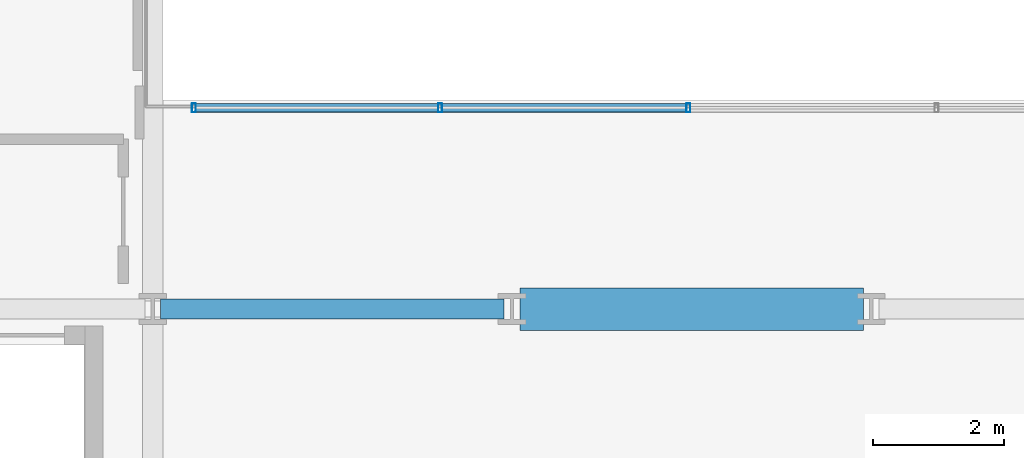
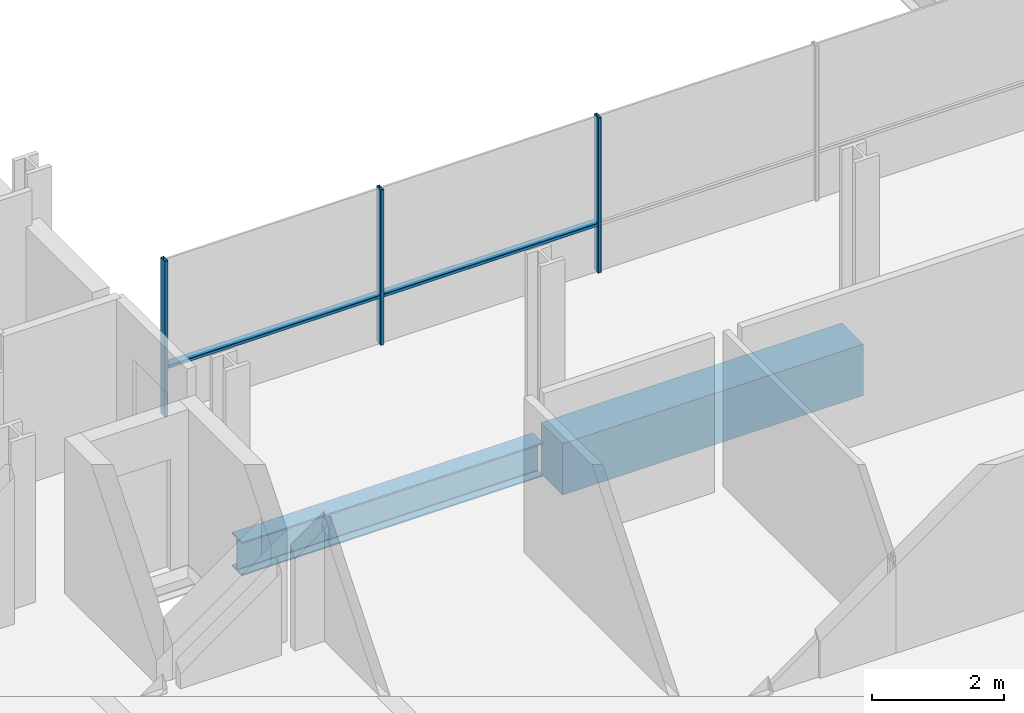
# One storey, part 4 of 38: 5 members, 2 beams, 1 element without a shape of its own.
"""IFC4 building model written with IfcOpenShell, lengths in metres."""

import ifcopenshell
import ifcopenshell.guid

model = None  # the IFC model being written
_history = None  # IfcOwnerHistory: only IFC2X3 demands one
_inside = {}  # id of a spatial element -> (the spatial element, [elements in it])
_under = {}  # id of a project, library or spatial element -> (it, [spatial elements below it])
_declared = {}  # id of a project -> (the project, [libraries it declares])
_typed = {}  # id of a type object -> (the type object, [elements of that type])
_made_of = {}  # id of a material, layer set ... -> (it, [elements and type objects made of it])


def new_model(schema):
    """Start an empty IFC model of exactly this schema.

    Asked for "IFC4X3", IfcOpenShell would pick the latest addendum, in which some entities
    have other attributes; the version numbers below select the first issue.
    IFC2X3 requires an IfcOwnerHistory on every rooted entity: one is made here for all.
    """
    global model, _history
    if schema == "IFC4X3":
        model = ifcopenshell.file(schema_version=(4, 3, 0, 0))
    else:
        model = ifcopenshell.file(schema=schema)
    _inside.clear()
    _under.clear()
    _declared.clear()
    _typed.clear()
    _made_of.clear()
    _history = None
    if model.schema == "IFC2X3":
        org = make("IfcOrganization", Name="unknown")
        user = make(
            "IfcPersonAndOrganization",
            ThePerson=make("IfcPerson", FamilyName="unknown"),
            TheOrganization=org,
        )
        app = make(
            "IfcApplication",
            ApplicationDeveloper=org,
            Version="unknown",
            ApplicationFullName="unknown",
            ApplicationIdentifier="unknown",
        )
        _history = make(
            "IfcOwnerHistory",
            OwningUser=user,
            OwningApplication=app,
            ChangeAction="ADDED",
            CreationDate=0,
        )
    return model


def make(cls, **values):
    """One entity of the class cls with the attributes given. An attribute that is None is left unset."""
    return model.create_entity(
        cls, **{name: value for name, value in values.items() if value is not None}
    )


def rooted(cls, **values):
    """An entity with a GlobalId (a new one), such as an element, a storey or a relation."""
    return make(cls, GlobalId=ifcopenshell.guid.new(), OwnerHistory=_history, **values)


def si_unit(unit_type, name, prefix=None):
    """IfcSIUnit, for example si_unit("LENGTHUNIT", "METRE", prefix="MILLI")."""
    return make("IfcSIUnit", UnitType=unit_type, Prefix=prefix, Name=name)


def assignment(units):
    """IfcUnitAssignment: the units of a project."""
    return None if units is None else make("IfcUnitAssignment", Units=units)


def point(xyz):
    """IfcCartesianPoint."""
    return None if xyz is None else make("IfcCartesianPoint", Coordinates=xyz)


def direction(xyz):
    """IfcDirection."""
    return None if xyz is None else make("IfcDirection", DirectionRatios=xyz)


def frame(location, z_axis=None, x_axis=None):
    """IfcAxis2Placement3D, a coordinate frame: its origin and axes. An axis left out is left unset."""
    return make(
        "IfcAxis2Placement3D",
        Location=point(location),
        Axis=direction(z_axis),
        RefDirection=direction(x_axis),
    )


def frame_2d(location, x_axis=None):
    """IfcAxis2Placement2D, a coordinate frame in the plane: its origin and x axis."""
    return make(
        "IfcAxis2Placement2D", Location=point(location), RefDirection=direction(x_axis)
    )


def origin():
    """The frame at (0, 0, 0) with its axes left unset."""
    return frame((0.0, 0.0, 0.0))


def origin_2d():
    """The frame at (0, 0) in the plane with its x axis left unset."""
    return frame_2d((0.0, 0.0))


def place(relative_to, where):
    """IfcLocalPlacement: puts the frame where relative to a parent placement (None: the world)."""
    return make(
        "IfcLocalPlacement", PlacementRelTo=relative_to, RelativePlacement=where
    )


def context(
    kind, dimensions, precision=None, world=None, true_north=None, identifier=None
):
    """IfcGeometricRepresentationContext, for example the 3D "Model" context."""
    return make(
        "IfcGeometricRepresentationContext",
        ContextIdentifier=identifier,
        ContextType=kind,
        CoordinateSpaceDimension=dimensions,
        Precision=precision,
        WorldCoordinateSystem=world,
        TrueNorth=true_north,
    )


def subcontext(parent, identifier, kind, view, scale=None):
    """IfcGeometricRepresentationSubContext, for example "Body" below "Model"."""
    return make(
        "IfcGeometricRepresentationSubContext",
        ContextIdentifier=identifier,
        ContextType=kind,
        ParentContext=parent,
        TargetScale=scale,
        TargetView=view,
    )


def project(units=None, contexts=None):
    """IfcProject with its units and contexts."""
    return rooted(
        "IfcProject",
        Name="project",
        RepresentationContexts=contexts,
        UnitsInContext=assignment(units),
    )


def spatial(cls, under=None, at=None, **own):
    """A site, building, storey or space (cls), placed at a placement, below another one or the project."""
    s = rooted(cls, ObjectPlacement=at, **own)
    if under is not None:
        _under.setdefault(under.id(), (under, []))[1].append(s)
    return s


def profile(cls, at=None, kind="AREA", **sizes):
    """A parametric profile (cls). Its sizes go by their IFC names, for example OverallWidth=200.0."""
    return make(cls, ProfileType=kind, Position=at, **sizes)


def rectangle(**sizes):
    """IfcRectangleProfileDef."""
    return profile("IfcRectangleProfileDef", **sizes)


def hollow_rectangle(**sizes):
    """IfcRectangleHollowProfileDef."""
    return profile("IfcRectangleHollowProfileDef", **sizes)


def i_section(**sizes):
    """IfcIShapeProfileDef."""
    return profile("IfcIShapeProfileDef", **sizes)


def extrude(swept, where, along, depth):
    """IfcExtrudedAreaSolid: the profile swept, set in the frame where, extruded along a direction by depth."""
    return make(
        "IfcExtrudedAreaSolid",
        SweptArea=swept,
        Position=where,
        ExtrudedDirection=direction(along),
        Depth=depth,
    )


def shape(context_of_items, identifier, shape_type, items):
    """IfcShapeRepresentation: the items that make up one representation, for example the "Body"."""
    return make(
        "IfcShapeRepresentation",
        ContextOfItems=context_of_items,
        RepresentationIdentifier=identifier,
        RepresentationType=shape_type,
        Items=items,
    )


def material(Name=None, Category=None):
    """IfcMaterial."""
    return make("IfcMaterial", Name=Name, Category=Category)


def layer(
    of_material, thickness, ventilated=None, Name=None, Category=None, Priority=None
):
    """IfcMaterialLayer: one layer of a wall or slab, of a material (None: an air gap)."""
    return make(
        "IfcMaterialLayer",
        Material=of_material,
        LayerThickness=thickness,
        IsVentilated=ventilated,
        Name=Name,
        Category=Category,
        Priority=Priority,
    )


def layer_set(layers, Name=None):
    """IfcMaterialLayerSet."""
    return make("IfcMaterialLayerSet", MaterialLayers=layers, LayerSetName=Name)


def material_profile(
    of_material, cross_section, Name=None, Category=None, Priority=None
):
    """IfcMaterialProfile: a cross section and its material."""
    return make(
        "IfcMaterialProfile",
        Name=Name,
        Material=of_material,
        Profile=cross_section,
        Priority=Priority,
        Category=Category,
    )


def profile_set(profiles, Name=None, composite=None):
    """IfcMaterialProfileSet."""
    return make(
        "IfcMaterialProfileSet",
        Name=Name,
        MaterialProfiles=profiles,
        CompositeProfile=composite,
    )


def made_of(thing, what):
    """Note that an element or type object is made of a material, layer set ...; save() writes the relation."""
    if what is not None:
        _made_of.setdefault(what.id(), (what, []))[1].append(thing)
    return thing


def type_object(cls, material=None, **own):
    """A type object (cls), such as IfcWallType, which elements share."""
    return made_of(rooted(cls, **own), material)


def element(
    cls,
    number,
    at=None,
    inside=None,
    cuts=None,
    type_object=None,
    material=None,
    context=None,
    identifier="Body",
    shape_type=None,
    held_by="IfcProductDefinitionShape",
    body=None,
    shapes=None,
    **own,
):
    """One element of the class cls, such as IfcWall. Its Tag is "e" and its number.

    at: its placement. inside: the storey or other place that contains it. cuts: it is an
    opening in that element (IfcRelVoidsElement). A single representation is given by context,
    identifier, shape_type and body (its items); several are given by shapes. held_by: the class
    of the entity that holds the representations. save() writes the other relations.
    """
    e = rooted(cls, Tag="e%d" % number, ObjectPlacement=at, **own)
    if body is not None:
        shapes = [shape(context, identifier, shape_type, body)]
    if shapes is not None:
        e.Representation = make(held_by, Representations=shapes)
    if inside is not None:
        _inside.setdefault(inside.id(), (inside, []))[1].append(e)
    if cuts is not None:
        rooted(
            "IfcRelVoidsElement", RelatingBuildingElement=cuts, RelatedOpeningElement=e
        )
    if type_object is not None:
        _typed.setdefault(type_object.id(), (type_object, []))[1].append(e)
    return made_of(e, material)


def aggregate(whole, parts):
    """IfcRelAggregates: a whole, such as a stair, and the parts it consists of."""
    return rooted("IfcRelAggregates", RelatingObject=whole, RelatedObjects=parts)


def save(model, path):
    """Write the relations noted so far, then the file.

    IfcRelAggregates (storeys below a building ...), IfcRelContainedInSpatialStructure (elements
    in a storey), IfcRelDefinesByType, IfcRelAssociatesMaterial and IfcRelDeclares: one each for
    every whole, place, type object, material and project.
    """
    for whole, parts in _under.values():
        aggregate(whole, parts)
    for where, things in _inside.values():
        rooted(
            "IfcRelContainedInSpatialStructure",
            RelatedElements=things,
            RelatingStructure=where,
        )
    for kind, things in _typed.values():
        rooted("IfcRelDefinesByType", RelatedObjects=things, RelatingType=kind)
    for what, things in _made_of.values():
        rooted("IfcRelAssociatesMaterial", RelatedObjects=things, RelatingMaterial=what)
    for by, libraries in _declared.values():
        rooted("IfcRelDeclares", RelatingContext=by, RelatedDefinitions=libraries)
    model.write(path)


model = new_model("IFC4")

# Units and contexts
model_context = context("Model", 3, precision=1e-05, world=origin(), true_north=direction((0.0, 1.0)))
body_context = subcontext(model_context, "Body", "Model", "MODEL_VIEW")
ifc_project = project(units=[si_unit("LENGTHUNIT", "METRE"), si_unit("AREAUNIT", "SQUARE_METRE"), si_unit("VOLUMEUNIT", "CUBIC_METRE"), si_unit("PLANEANGLEUNIT", "RADIAN"), si_unit("MASSUNIT", "GRAM", prefix="KILO")], contexts=[model_context])

# Site, building, storey
site_placement = place(None, origin())
site = spatial("IfcSite", under=ifc_project, at=site_placement, CompositionType="ELEMENT")
building_placement = place(site_placement, origin())
building = spatial("IfcBuilding", under=site, at=building_placement, Name="Brevholm Reach", CompositionType="ELEMENT")
storey_placement = place(building_placement, frame((0.0, 0.0, 52.800048828125)))
storey = spatial("IfcBuildingStorey", under=building, at=storey_placement, Name="L14", CompositionType="ELEMENT", Elevation=52.800048828125)

# Beams
ifc_material_1 = material(Name="Concrete C60/75", Category="concrete")
ifc_material_profile_1 = material_profile(ifc_material_1, rectangle(XDim=0.64990234375, YDim=0.949951171875, at=origin_2d()), Name="RC 650x950")
ifc_profile_set_1 = profile_set([ifc_material_profile_1], Name="Concrete C60/75")
beam_type_1 = type_object("IfcBeamType", Name="BM-CB650", PredefinedType="LINTEL", material=ifc_profile_set_1)
beam_1_placement = place(storey_placement, frame((27.3701171875, 10.0, -0.705078125), z_axis=(1.0, 0.0, 0.0), x_axis=(0.0, 1.0, 0.0)))
element("IfcBeam", 1, at=beam_1_placement, inside=storey, type_object=beam_type_1, Name="L14 CB-01 Framing Beam", PredefinedType="LINTEL", context=body_context, shape_type="SweptSolid", body=[
    extrude(rectangle(XDim=0.64990234375, YDim=0.949951171875, at=origin_2d()), origin(), (0.0, 0.0, 1.0), 5.259765625),
])
ifc_material_2 = material(Name="Structural Steel S355J2", Category="steel")
ifc_material_profile_2 = material_profile(ifc_material_2, i_section(OverallWidth=0.30712890625, OverallDepth=0.6201171875, WebThickness=0.01416015625, FlangeThickness=0.023681640625, FilletRadius=0.0166015625, at=origin_2d()), Name="UKB 610x305x179")
ifc_profile_set_2 = profile_set([ifc_material_profile_2], Name="Structural Steel S355J2")
beam_type_2 = type_object("IfcBeamType", Name="BM-UKB610H", PredefinedType="USERDEFINED", material=ifc_profile_set_2)
beam_2_placement = place(storey_placement, frame((21.8701171875, 10.0, -0.5400390625), z_axis=(1.0, 0.0, 0.0), x_axis=(0.0, 1.0, 0.0)))
element("IfcBeam", 2, at=beam_2_placement, inside=storey, type_object=beam_type_2, Name="L14 G-06 Framing Beam", ObjectType="GIRDER", PredefinedType="USERDEFINED", context=body_context, shape_type="SweptSolid", body=[
    extrude(i_section(OverallWidth=0.30712890625, OverallDepth=0.6201171875, WebThickness=0.01416015625, FlangeThickness=0.023681640625, FilletRadius=0.0166015625, at=origin_2d()), origin(), (0.0, 0.0, 1.0), 5.259765625),
])

# Curtain wall, members
ifc_material_3 = material(Name="Dark Anodised Aluminium 6063-T6 and Solar-Control Glass", Category="aluminium")
ifc_layer = layer(ifc_material_3, 0.139892578125)
ifc_layer_set = layer_set([ifc_layer], Name="Dark Anodised Aluminium 6063-T6 and Solar-Control Glass")
curtain_wall_type = type_object("IfcCurtainWallType", Name="CW-02", PredefinedType="NOTDEFINED", material=ifc_layer_set)
curtain_wall_placement = place(storey_placement, origin())
curtain_wall = element("IfcCurtainWall", 3, at=curtain_wall_placement, inside=storey, type_object=curtain_wall_type, Name="L14 Curtain Wall CW-02", PredefinedType="NOTDEFINED")
ifc_material_4 = material(Name="Dark Anodised Aluminium 6063-T6", Category="aluminium")
ifc_material_profile_3 = material_profile(ifc_material_4, hollow_rectangle(XDim=0.06005859375, YDim=0.139892578125, WallThickness=0.0048828125, InnerFilletRadius=0.0048828125, OuterFilletRadius=0.010009765625, at=origin_2d()), Name="RHS 140x60x5")
ifc_profile_set_3 = profile_set([ifc_material_profile_3], Name="Dark Anodised Aluminium 6063-T6")
member_type_1 = type_object("IfcMemberType", Name="CWM-140", PredefinedType="MULLION", material=ifc_profile_set_3)
member_1_placement = place(storey_placement, frame((22.3798828125, 13.080078125, 0.0), z_axis=(0.0, 0.0, 1.0), x_axis=(1.0, 0.0, 0.0)))
member_1 = element("IfcMember", 4, at=member_1_placement, type_object=member_type_1, Name="CM-140 Mullion 1", PredefinedType="MULLION", context=body_context, shape_type="SweptSolid", body=[
    extrude(hollow_rectangle(XDim=0.06005859375, YDim=0.139892578125, WallThickness=0.0048828125, InnerFilletRadius=0.0048828125, OuterFilletRadius=0.010009765625, at=origin_2d()), origin(), (0.0, 0.0, 1.0), 2.869873046875),
])
member_2_placement = place(storey_placement, frame((26.14990234375, 13.080078125, 0.0), z_axis=(0.0, 0.0, 1.0), x_axis=(1.0, 0.0, 0.0)))
member_2 = element("IfcMember", 5, at=member_2_placement, type_object=member_type_1, Name="CM-140 Mullion 2", PredefinedType="MULLION", context=body_context, shape_type="SweptSolid", body=[
    extrude(hollow_rectangle(XDim=0.06005859375, YDim=0.139892578125, WallThickness=0.0048828125, InnerFilletRadius=0.0048828125, OuterFilletRadius=0.010009765625, at=origin_2d()), origin(), (0.0, 0.0, 1.0), 2.869873046875),
])
member_3_placement = place(storey_placement, frame((29.949951171875, 13.080078125, 0.0), z_axis=(0.0, 0.0, 1.0), x_axis=(1.0, 0.0, 0.0)))
member_3 = element("IfcMember", 6, at=member_3_placement, type_object=member_type_1, Name="CM-140 Mullion 3", PredefinedType="MULLION", context=body_context, shape_type="SweptSolid", body=[
    extrude(hollow_rectangle(XDim=0.06005859375, YDim=0.139892578125, WallThickness=0.0048828125, InnerFilletRadius=0.0048828125, OuterFilletRadius=0.010009765625, at=origin_2d()), origin(), (0.0, 0.0, 1.0), 2.869873046875),
])
ifc_material_5 = material(Name="Dark Anodised Aluminium 6063-T6", Category="aluminium")
ifc_material_profile_4 = material_profile(ifc_material_5, hollow_rectangle(XDim=0.06005859375, YDim=0.139892578125, WallThickness=0.0048828125, InnerFilletRadius=0.0048828125, OuterFilletRadius=0.010009765625, at=origin_2d()), Name="RHS 140x60x5")
ifc_profile_set_4 = profile_set([ifc_material_profile_4], Name="Dark Anodised Aluminium 6063-T6")
member_type_2 = type_object("IfcMemberType", Name="CWT-140", PredefinedType="NOTDEFINED", material=ifc_profile_set_4)
member_4_placement = place(storey_placement, frame((22.409912109375, 13.080078125, 0.89990234375), z_axis=(1.0, 0.0, 0.0), x_axis=(0.0, 0.0, 1.0)))
member_4 = element("IfcMember", 7, at=member_4_placement, type_object=member_type_2, Name="CT-140 Transom 1.1", ObjectType="TRANSOM", PredefinedType="USERDEFINED", context=body_context, shape_type="SweptSolid", body=[
    extrude(hollow_rectangle(XDim=0.06005859375, YDim=0.139892578125, WallThickness=0.0048828125, InnerFilletRadius=0.0048828125, OuterFilletRadius=0.010009765625, at=origin_2d()), origin(), (0.0, 0.0, 1.0), 3.710205078125),
])
member_5_placement = place(storey_placement, frame((26.179931640625, 13.080078125, 0.89990234375), z_axis=(1.0, 0.0, 0.0), x_axis=(0.0, 0.0, 1.0)))
member_5 = element("IfcMember", 8, at=member_5_placement, type_object=member_type_2, Name="CT-140 Transom 2.1", ObjectType="TRANSOM", PredefinedType="USERDEFINED", context=body_context, shape_type="SweptSolid", body=[
    extrude(hollow_rectangle(XDim=0.06005859375, YDim=0.139892578125, WallThickness=0.0048828125, InnerFilletRadius=0.0048828125, OuterFilletRadius=0.010009765625, at=origin_2d()), origin(), (0.0, 0.0, 1.0), 3.739990234375),
])
aggregate(curtain_wall, [member_1, member_2, member_3, member_4, member_5])

save(model, "model.ifc")
